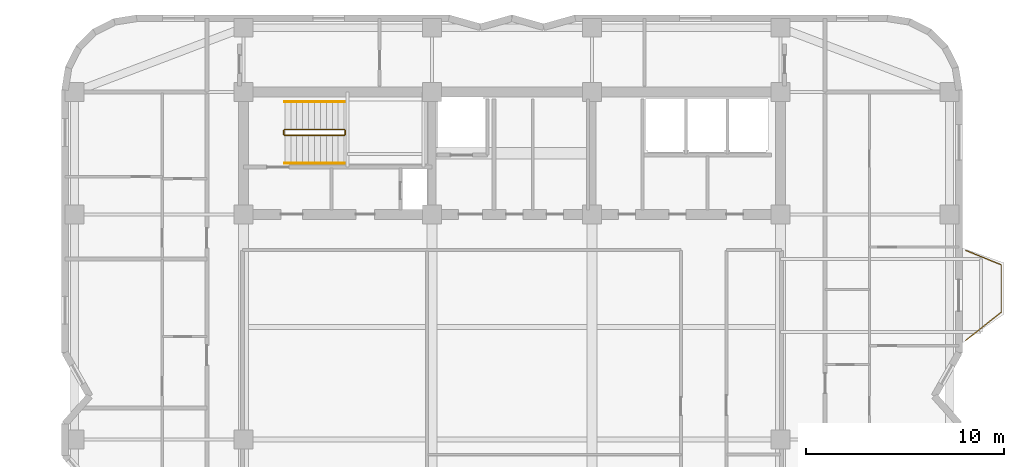
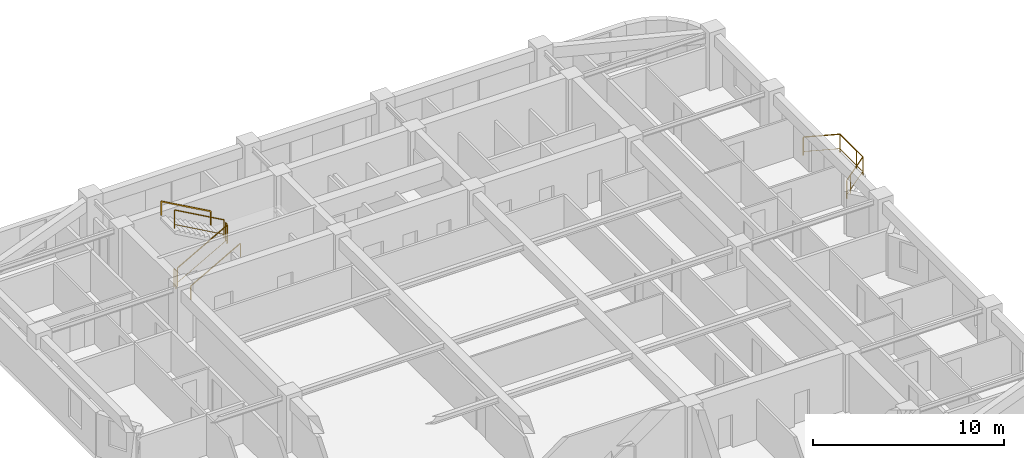
# One storey, part 9 of 9: 7 railings.
"""IFC4 building model written with IfcOpenShell, lengths in metres."""

from ifc_helpers import new_model, si_unit, direction, frame, origin, origin_2d, place, context, subcontext, project, spatial, rectangle, extrude, material, type_object, element, save


model = new_model("IFC4")

# Units and contexts
model_context = context("Model", 3, precision=1e-05, world=origin(), true_north=direction((0.0, 1.0)))
body_context = subcontext(model_context, "Body", "Model", "MODEL_VIEW")
ifc_project = project(units=[si_unit("LENGTHUNIT", "METRE"), si_unit("AREAUNIT", "SQUARE_METRE"), si_unit("VOLUMEUNIT", "CUBIC_METRE"), si_unit("PLANEANGLEUNIT", "RADIAN"), si_unit("MASSUNIT", "GRAM", prefix="KILO")], contexts=[model_context])

# Site, building, storey
site_placement = place(None, origin())
site = spatial("IfcSite", under=ifc_project, at=site_placement, CompositionType="ELEMENT")
building_placement = place(site_placement, origin())
building = spatial("IfcBuilding", under=site, at=building_placement, Name="Svetorya Sky Lyceum", CompositionType="ELEMENT")
storey_placement = place(building_placement, frame((0.0, 0.0, 173.699951171875)))
storey = spatial("IfcBuildingStorey", under=building, at=storey_placement, Name="L43", CompositionType="ELEMENT", Elevation=173.699951171875)

# Railings
ifc_material_1 = material(Name="Laminated safety glass and stainless AISI 316", Category="glass")
railing_type_1 = type_object("IfcRailingType", Name="RL-BAL-1200", PredefinedType="BALUSTRADE", material=ifc_material_1)
railing_1_placement = place(storey_placement, frame((62.169921875, 37.780029296875, 0.0)))
element("IfcRailing", 1, at=railing_1_placement, inside=storey, type_object=railing_type_1, Name="L43 Balcony Balustrade BAL-E1", PredefinedType="BALUSTRADE", context=body_context, shape_type="SweptSolid", body=[
    extrude(rectangle(XDim=0.048095703125, YDim=0.048095703125, at=origin_2d()), frame((0.0, 0.0, 1.17578125), z_axis=(0.926697865975, -0.375807218129, 0.0), x_axis=(0.375807218129, 0.926697865975, 0.0)), (0.0, 0.0, 1.0), 1.9423828125),
    extrude(rectangle(XDim=0.02392578125, YDim=0.02392578125, at=origin_2d()), frame((0.0, 0.0, 0.25), z_axis=(0.926697865975, -0.375807218129, 0.0), x_axis=(0.375807218129, 0.926697865975, 0.0)), (0.0, 0.0, 1.0), 1.9423828125),
    extrude(rectangle(XDim=0.048095703125, YDim=0.048095703125, at=origin_2d()), frame((1.800048828125, -0.72998046875, 1.17578125), z_axis=(0.0, -1.0, 0.0), x_axis=(1.0, 0.0, 0.0)), (0.0, 0.0, 1.0), 2.400146484375),
    extrude(rectangle(XDim=0.02392578125, YDim=0.02392578125, at=origin_2d()), frame((1.800048828125, -0.72998046875, 0.25), z_axis=(0.0, -1.0, 0.0), x_axis=(1.0, 0.0, 0.0)), (0.0, 0.0, 1.0), 2.400146484375),
    extrude(rectangle(XDim=0.048095703125, YDim=0.048095703125, at=origin_2d()), frame((1.800048828125, -3.130126953125, 1.17578125), z_axis=(-0.783008919264, -0.622010476079, 0.0), x_axis=(0.622010476079, -0.783008919264, 0.0)), (0.0, 0.0, 1.0), 2.298828125),
    extrude(rectangle(XDim=0.02392578125, YDim=0.02392578125, at=origin_2d()), frame((1.800048828125, -3.130126953125, 0.25), z_axis=(-0.783008919264, -0.622010476079, 0.0), x_axis=(0.622010476079, -0.783008919264, 0.0)), (0.0, 0.0, 1.0), 2.298828125),
    extrude(rectangle(XDim=0.0419921875, YDim=0.0419921875, at=origin_2d()), origin(), (0.0, 0.0, 1.0), 1.15185546875),
    extrude(rectangle(XDim=0.0419921875, YDim=0.0419921875, at=origin_2d()), frame((1.800048828125, -0.72998046875, 0.0)), (0.0, 0.0, 1.0), 1.15185546875),
    extrude(rectangle(XDim=0.0419921875, YDim=0.0419921875, at=origin_2d()), frame((1.800048828125, -2.47998046875, 0.0)), (0.0, 0.0, 1.0), 1.15185546875),
    extrude(rectangle(XDim=0.0419921875, YDim=0.0419921875, at=origin_2d()), frame((1.800048828125, -3.130126953125, 0.0)), (0.0, 0.0, 1.0), 1.15185546875),
    extrude(rectangle(XDim=0.0419921875, YDim=0.0419921875, at=origin_2d()), frame((0.4296875, -4.21875, 0.0)), (0.0, 0.0, 1.0), 1.15185546875),
    extrude(rectangle(XDim=0.0419921875, YDim=0.0419921875, at=origin_2d()), frame((0.0, -4.56005859375, 0.0)), (0.0, 0.0, 1.0), 1.15185546875),
])
ifc_material_2 = material(Name="Painted galvanized stair well guard")
railing_type_2 = type_object("IfcRailingType", Name="RL-STR-GUARD-1200", PredefinedType="GUARDRAIL", material=ifc_material_2)
railing_2_placement = place(storey_placement, frame((27.699951171875, 43.60009765625, 0.168212890625)))
element("IfcRailing", 2, at=railing_2_placement, inside=storey, type_object=railing_type_2, Name="L43 ST-N stair guard 1", PredefinedType="GUARDRAIL", context=body_context, shape_type="SweptSolid", body=[
    extrude(rectangle(XDim=0.048095703125, YDim=0.048095703125, at=origin_2d()), frame((0.0, 0.0, 1.17578125), z_axis=(0.872272294576, 0.0, 0.489020494575), x_axis=(0.0, 1.0, 0.0)), (0.0, 0.0, 1.0), 3.439208984375),
    extrude(rectangle(XDim=0.02392578125, YDim=0.02392578125, at=origin_2d()), frame((0.0, 0.0, 0.25), z_axis=(0.872272294576, 0.0, 0.489020494575), x_axis=(0.0, 1.0, 0.0)), (0.0, 0.0, 1.0), 3.439208984375),
    extrude(rectangle(XDim=0.0419921875, YDim=0.0419921875, at=origin_2d()), origin(), (0.0, 0.0, 1.0), 1.15185546875),
    extrude(rectangle(XDim=0.0419921875, YDim=0.0419921875, at=origin_2d()), frame((3.0, 0.0, 1.681884765625)), (0.0, 0.0, 1.0), 1.15185546875),
])
railing_3_placement = place(storey_placement, frame((30.75, 43.64990234375, 1.85009765625)))
element("IfcRailing", 3, at=railing_3_placement, inside=storey, type_object=railing_type_2, Name="L43 ST-N stair guard 2", PredefinedType="GUARDRAIL", context=body_context, shape_type="SweptSolid", body=[
    extrude(rectangle(XDim=0.048095703125, YDim=0.048095703125, at=origin_2d()), frame((0.0, 0.0, 1.17578125), z_axis=(0.0, 1.0, 0.0), x_axis=(-1.0, 0.0, 0.0)), (0.0, 0.0, 1.0), 0.2001953125),
    extrude(rectangle(XDim=0.02392578125, YDim=0.02392578125, at=origin_2d()), frame((0.0, 0.0, 0.25), z_axis=(0.0, 1.0, 0.0), x_axis=(-1.0, 0.0, 0.0)), (0.0, 0.0, 1.0), 0.2001953125),
    extrude(rectangle(XDim=0.0419921875, YDim=0.0419921875, at=origin_2d()), origin(), (0.0, 0.0, 1.0), 1.15185546875),
    extrude(rectangle(XDim=0.0419921875, YDim=0.0419921875, at=origin_2d()), frame((0.0, 0.2001953125, 0.0)), (0.0, 0.0, 1.0), 1.15185546875),
])
railing_4_placement = place(storey_placement, frame((30.699951171875, 43.89990234375, 2.018310546875)))
element("IfcRailing", 4, at=railing_4_placement, inside=storey, type_object=railing_type_2, Name="L43 ST-N stair guard 3", PredefinedType="GUARDRAIL", context=body_context, shape_type="SweptSolid", body=[
    extrude(rectangle(XDim=0.048095703125, YDim=0.048095703125, at=origin_2d()), frame((0.0, 0.0, 1.17578125), z_axis=(-0.872302573547, 0.0, 0.488966481656), x_axis=(0.0, -1.0, 0.0)), (0.0, 0.0, 1.0), 3.439208984375),
    extrude(rectangle(XDim=0.02392578125, YDim=0.02392578125, at=origin_2d()), frame((0.0, 0.0, 0.25), z_axis=(-0.872302573547, 0.0, 0.488966481656), x_axis=(0.0, -1.0, 0.0)), (0.0, 0.0, 1.0), 3.439208984375),
    extrude(rectangle(XDim=0.0419921875, YDim=0.0419921875, at=origin_2d()), origin(), (0.0, 0.0, 1.0), 1.15185546875),
    extrude(rectangle(XDim=0.0419921875, YDim=0.0419921875, at=origin_2d()), frame((-3.0, 0.0, 1.681640625)), (0.0, 0.0, 1.0), 1.15185546875),
])
railing_5_placement = place(storey_placement, frame((27.64990234375, 43.64990234375, 0.0)))
element("IfcRailing", 5, at=railing_5_placement, inside=storey, type_object=railing_type_2, Name="L43 ST-N stair guard 4", PredefinedType="GUARDRAIL", context=body_context, shape_type="SweptSolid", body=[
    extrude(rectangle(XDim=0.048095703125, YDim=0.048095703125, at=origin_2d()), frame((0.0, 0.0, 1.17578125), z_axis=(0.0, 1.0, 0.0), x_axis=(-1.0, 0.0, 0.0)), (0.0, 0.0, 1.0), 0.2001953125),
    extrude(rectangle(XDim=0.02392578125, YDim=0.02392578125, at=origin_2d()), frame((0.0, 0.0, 0.25), z_axis=(0.0, 1.0, 0.0), x_axis=(-1.0, 0.0, 0.0)), (0.0, 0.0, 1.0), 0.2001953125),
    extrude(rectangle(XDim=0.0419921875, YDim=0.0419921875, at=origin_2d()), origin(), (0.0, 0.0, 1.0), 1.15185546875),
    extrude(rectangle(XDim=0.0419921875, YDim=0.0419921875, at=origin_2d()), frame((0.0, 0.2001953125, 0.0)), (0.0, 0.0, 1.0), 1.15185546875),
])
ifc_material_3 = material(Name="Brushed stainless AISI 304 stair handrail")
railing_type_3 = type_object("IfcRailingType", Name="RL-STR-HAND-920", PredefinedType="HANDRAIL", material=ifc_material_3)
railing_6_placement = place(storey_placement, frame((27.699951171875, 42.199951171875, 0.168212890625)))
element("IfcRailing", 6, at=railing_6_placement, inside=storey, type_object=railing_type_3, Name="L43 ST-N stair handrail 1", PredefinedType="HANDRAIL", context=body_context, shape_type="SweptSolid", body=[
    extrude(rectangle(XDim=0.048095703125, YDim=0.048095703125, at=origin_2d()), frame((0.0, 0.0, 0.8759765625), z_axis=(0.872272294576, 0.0, 0.489020494575), x_axis=(0.0, 1.0, 0.0)), (0.0, 0.0, 1.0), 3.439208984375),
    extrude(rectangle(XDim=0.0419921875, YDim=0.0419921875, at=origin_2d()), origin(), (0.0, 0.0, 1.0), 0.851806640625),
    extrude(rectangle(XDim=0.0419921875, YDim=0.0419921875, at=origin_2d()), frame((3.0, 0.0, 1.681884765625)), (0.0, 0.0, 1.0), 0.851806640625),
])
railing_7_placement = place(storey_placement, frame((30.699951171875, 45.300048828125, 2.018310546875)))
element("IfcRailing", 7, at=railing_7_placement, inside=storey, type_object=railing_type_3, Name="L43 ST-N stair handrail 2", PredefinedType="HANDRAIL", context=body_context, shape_type="SweptSolid", body=[
    extrude(rectangle(XDim=0.048095703125, YDim=0.048095703125, at=origin_2d()), frame((0.0, 0.0, 0.8759765625), z_axis=(-0.872302573547, 0.0, 0.488966481656), x_axis=(0.0, -1.0, 0.0)), (0.0, 0.0, 1.0), 3.439208984375),
    extrude(rectangle(XDim=0.0419921875, YDim=0.0419921875, at=origin_2d()), origin(), (0.0, 0.0, 1.0), 0.851806640625),
    extrude(rectangle(XDim=0.0419921875, YDim=0.0419921875, at=origin_2d()), frame((-3.0, 0.0, 1.681640625)), (0.0, 0.0, 1.0), 0.851806640625),
])

save(model, "model.ifc")
